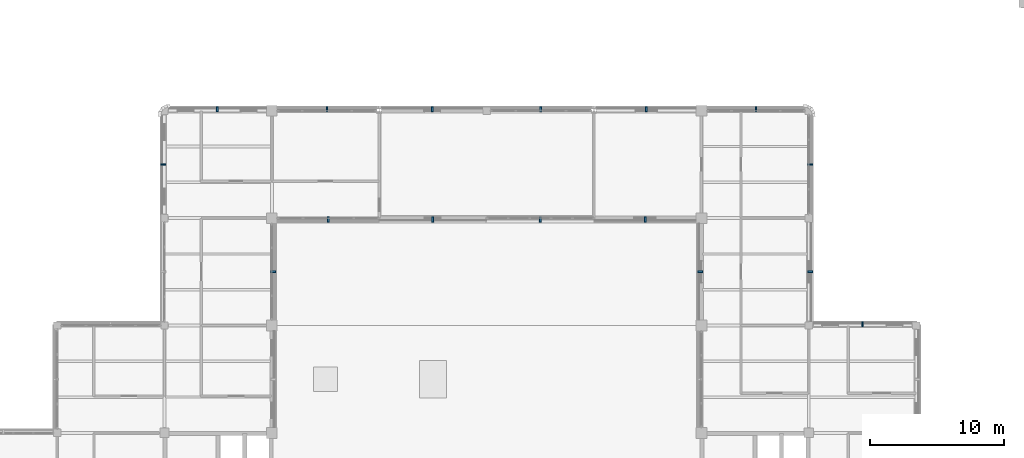
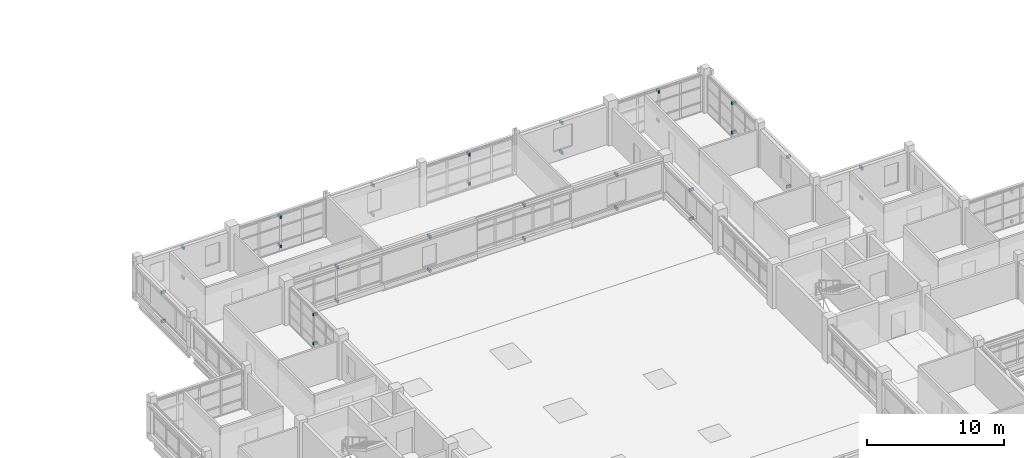
# One storey, part 93 of 107: 32 discrete accessories.
"""IFC4 building model written with IfcOpenShell, lengths in metres."""

from ifc_helpers import new_model, si_unit, derived_unit, direction, frame, origin, origin_2d, place, context, subcontext, project, spatial, rectangle, extrude, material, type_object, element, save


model = new_model("IFC4")

# Units and contexts
model_context = context("Model", 3, precision=1e-05, world=origin(), true_north=direction((0.0, 1.0)))
body_context = subcontext(model_context, "Body", "Model", "MODEL_VIEW")
ifc_project = project(units=[si_unit("LENGTHUNIT", "METRE"), si_unit("AREAUNIT", "SQUARE_METRE"), si_unit("VOLUMEUNIT", "CUBIC_METRE"), si_unit("PLANEANGLEUNIT", "RADIAN"), si_unit("MASSUNIT", "GRAM", prefix="KILO"), derived_unit("THERMALTRANSMITTANCEUNIT", [(si_unit("MASSUNIT", "GRAM", prefix="KILO"), 1), (si_unit("TIMEUNIT", "SECOND"), -3), (si_unit("THERMODYNAMICTEMPERATUREUNIT", "KELVIN"), -1)])], contexts=[model_context])

# Site, building, storey
site_placement = place(None, origin())
site = spatial("IfcSite", under=ifc_project, at=site_placement, CompositionType="ELEMENT")
building_placement = place(site_placement, origin())
building = spatial("IfcBuilding", under=site, at=building_placement, Name="Veyamyaing Civic Hall", CompositionType="ELEMENT")
storey_placement = place(building_placement, frame((0.0, 0.0, 13.860107421875)))
storey = spatial("IfcBuildingStorey", under=building, at=storey_placement, Name="L03", CompositionType="ELEMENT", Elevation=13.860107421875)

# Discrete accessories
ifc_material = material(Name="Steel S355J2", Category="steel")
discrete_accessory_type = type_object("IfcDiscreteAccessoryType", Name="BK-01", PredefinedType="BRACKET", material=ifc_material)
for number, where, z_axis, x_axis, name in (
    (1, (72.10009765625, 68.0, 2.9599609375), (0.0, 0.0, 1.0), (1.0, 0.0, 0.0), "Sunshade anchor bracket BK-01 L03 E 9.9"),
    (2, (72.10009765625, 68.0, 0.35986328125), (0.0, 0.0, 1.0), (1.0, 0.0, 0.0), "Lower ribbon anchor bracket BK-01 L03 E 9.9"),
    (3, (67.9375, 80.10009765625, 3.02392578125), (0.0, 0.0, 1.0), (0.0, 1.0, 0.0), "Sunshade anchor bracket BK-01 L03 N 9.10"),
    (4, (67.9375, 80.10009765625, 0.35986328125), (0.0, 0.0, 1.0), (0.0, 1.0, 0.0), "Lower ribbon anchor bracket BK-01 L03 N 9.10"),
    (5, (63.89990234375, 76.0, 2.9599609375), (0.0, 0.0, 1.0), (-1.0, 0.0, 0.0), "Sunshade anchor bracket BK-01 L03 W 9.10"),
    (6, (63.89990234375, 76.0, 0.35986328125), (0.0, 0.0, 1.0), (-1.0, 0.0, 0.0), "Lower ribbon anchor bracket BK-01 L03 W 9.10"),
    (7, (76.1923828125, 71.89990234375, 3.384765625), (0.0, 0.0, 1.0), (0.0, -1.0, 0.0), "Sunshade anchor bracket BK-01 L03 S 10.10"),
    (8, (76.1923828125, 71.89990234375, 0.35986328125), (0.0, 0.0, 1.0), (0.0, -1.0, 0.0), "Lower ribbon anchor bracket BK-01 L03 S 10.10"),
    (9, (76.10791015625, 80.10009765625, 2.958984375), (0.0, 0.0, 1.0), (0.0, 1.0, 0.0), "Sunshade anchor bracket BK-01 L03 N 10.10"),
    (10, (76.10791015625, 80.10009765625, 0.35986328125), (0.0, 0.0, 1.0), (0.0, 1.0, 0.0), "Lower ribbon anchor bracket BK-01 L03 N 10.10"),
    (11, (84.0, 71.89990234375, 3.384765625), (0.0, 0.0, 1.0), (0.0, -1.0, 0.0), "Sunshade anchor bracket BK-01 L03 S 11.10"),
    (12, (84.0, 71.89990234375, 0.35986328125), (0.0, 0.0, 1.0), (0.0, -1.0, 0.0), "Lower ribbon anchor bracket BK-01 L03 S 11.10"),
    (13, (83.95458984375, 80.10009765625, 3.02197265625), (0.0, 0.0, 1.0), (0.0, 1.0, 0.0), "Sunshade anchor bracket BK-01 L03 N 11.10"),
    (14, (83.95458984375, 80.10009765625, 0.35986328125), (0.0, 0.0, 1.0), (0.0, 1.0, 0.0), "Lower ribbon anchor bracket BK-01 L03 N 11.10"),
    (15, (92.0, 71.89990234375, 3.384765625), (0.0, 0.0, 1.0), (0.0, -1.0, 0.0), "Sunshade anchor bracket BK-01 L03 S 12.10"),
    (16, (92.0, 71.89990234375, 0.35986328125), (0.0, 0.0, 1.0), (0.0, -1.0, 0.0), "Lower ribbon anchor bracket BK-01 L03 S 12.10"),
    (17, (92.04541015625, 80.10009765625, 2.955078125), (0.0, 0.0, 1.0), (0.0, 1.0, 0.0), "Sunshade anchor bracket BK-01 L03 N 12.10"),
    (18, (92.04541015625, 80.10009765625, 0.35986328125), (0.0, 0.0, 1.0), (0.0, 1.0, 0.0), "Lower ribbon anchor bracket BK-01 L03 N 12.10"),
    (19, (99.8076171875, 71.89990234375, 3.384765625), (0.0, 0.0, 1.0), (0.0, -1.0, 0.0), "Sunshade anchor bracket BK-01 L03 S 13.10"),
    (20, (99.8076171875, 71.89990234375, 0.35986328125), (0.0, 0.0, 1.0), (0.0, -1.0, 0.0), "Lower ribbon anchor bracket BK-01 L03 S 13.10"),
    (21, (99.89208984375, 80.10009765625, 3.01904296875), (0.0, 0.0, 1.0), (0.0, 1.0, 0.0), "Sunshade anchor bracket BK-01 L03 N 13.10"),
    (22, (99.89208984375, 80.10009765625, 0.35986328125), (0.0, 0.0, 1.0), (0.0, 1.0, 0.0), "Lower ribbon anchor bracket BK-01 L03 N 13.10"),
    (23, (103.89990234375, 68.0, 2.9599609375), (0.0, 0.0, 1.0), (-1.0, 0.0, 0.0), "Sunshade anchor bracket BK-01 L03 W 14.9"),
    (24, (103.89990234375, 68.0, 0.35986328125), (0.0, 0.0, 1.0), (-1.0, 0.0, 0.0), "Lower ribbon anchor bracket BK-01 L03 W 14.9"),
    (25, (112.10009765625, 68.0, 3.02392578125), (0.0, 0.0, 1.0), (1.0, 0.0, 0.0), "Sunshade anchor bracket BK-01 L03 E 14.9"),
    (26, (112.10009765625, 68.0, 0.35986328125), (0.0, 0.0, 1.0), (1.0, 0.0, 0.0), "Lower ribbon anchor bracket BK-01 L03 E 14.9"),
    (27, (108.0625, 80.10009765625, 2.9638671875), (0.0, 0.0, 1.0), (0.0, 1.0, 0.0), "Sunshade anchor bracket BK-01 L03 N 14.10"),
    (28, (108.0625, 80.10009765625, 0.35986328125), (0.0, 0.0, 1.0), (0.0, 1.0, 0.0), "Lower ribbon anchor bracket BK-01 L03 N 14.10"),
    (29, (112.10009765625, 76.0, 2.9638671875), (0.0, 0.0, 1.0), (1.0, 0.0, 0.0), "Sunshade anchor bracket BK-01 L03 E 14.10"),
    (30, (112.10009765625, 76.0, 0.35986328125), (0.0, 0.0, 1.0), (1.0, 0.0, 0.0), "Lower ribbon anchor bracket BK-01 L03 E 14.10"),
    (31, (116.0, 64.10009765625, 3.02392578125), (0.0, 0.0, 1.0), (0.0, 1.0, 0.0), "Sunshade anchor bracket BK-01 L03 N 15.8"),
    (32, (116.0, 64.10009765625, 0.35986328125), (0.0, 0.0, 1.0), (0.0, 1.0, 0.0), "Lower ribbon anchor bracket BK-01 L03 N 15.8"),
):
    element("IfcDiscreteAccessory", number, at=place(storey_placement, frame(where, z_axis=z_axis, x_axis=x_axis)), inside=storey, type_object=discrete_accessory_type, Name=name, PredefinedType="BRACKET", context=body_context, shape_type="SweptSolid", body=[
        extrude(rectangle(XDim=0.3798828125, YDim=0.139892578125, at=origin_2d()), origin(), (0.0, 0.0, 1.0), 0.239990234375),
    ])

save(model, "model.ifc")
